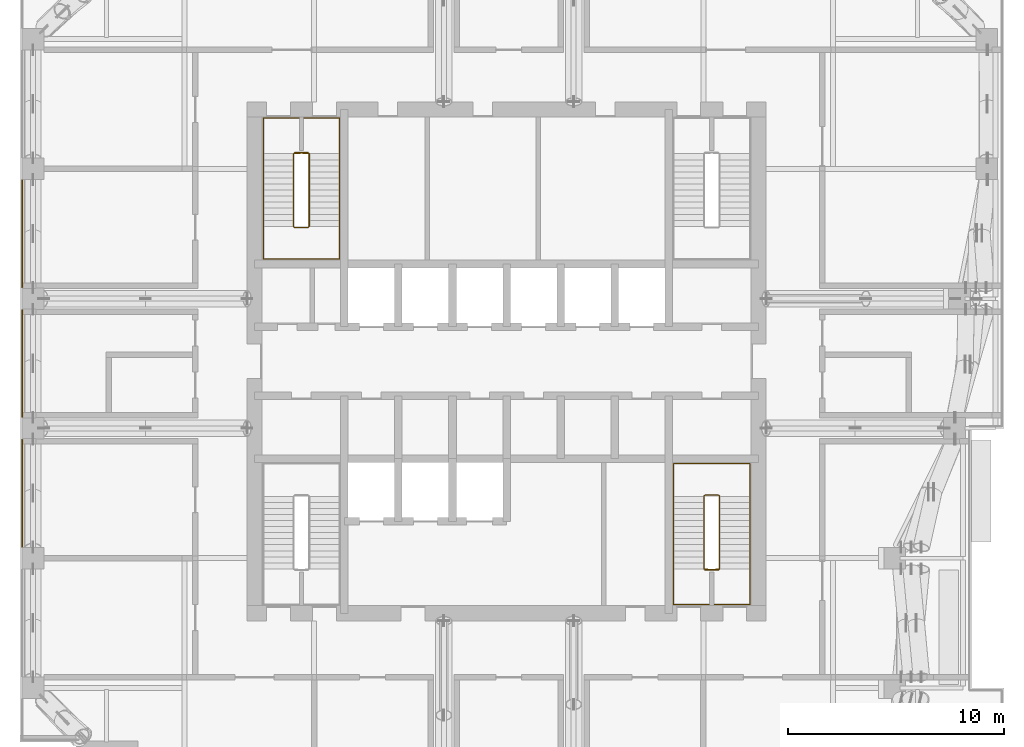
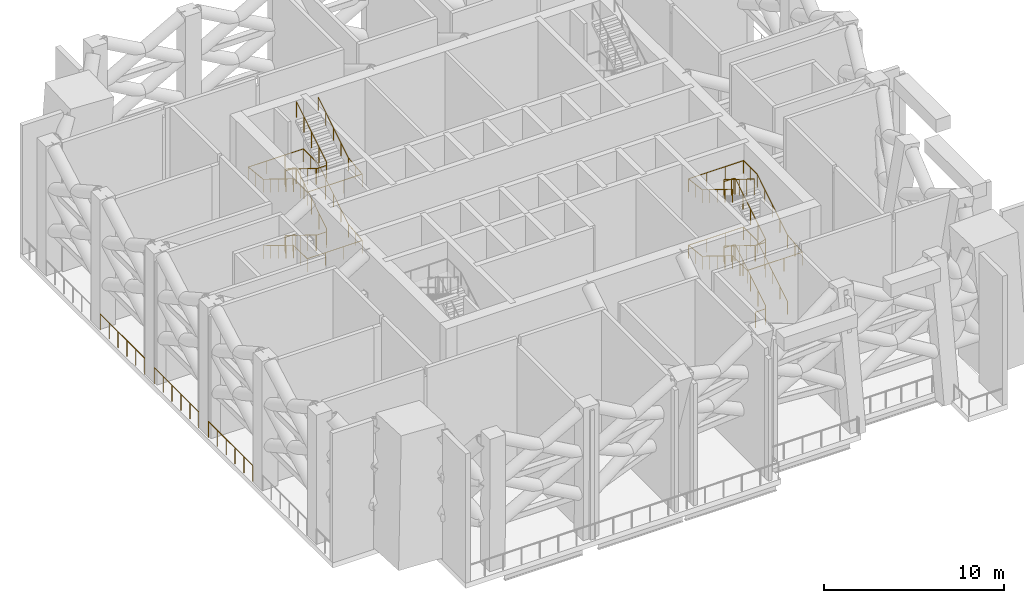
# One storey, part 16 of 18: 7 railings.
"""IFC4 building model written with IfcOpenShell, lengths in metres."""

from ifc_helpers import new_model, si_unit, direction, frame, origin, origin_2d, place, context, subcontext, project, spatial, circle, extrude, material, type_object, element, save


model = new_model("IFC4")

# Units and contexts
model_context = context("Model", 3, precision=1e-05, world=origin(), true_north=direction((0.0, 1.0)))
body_context = subcontext(model_context, "Body", "Model", "MODEL_VIEW")
ifc_project = project(units=[si_unit("LENGTHUNIT", "METRE"), si_unit("AREAUNIT", "SQUARE_METRE"), si_unit("VOLUMEUNIT", "CUBIC_METRE"), si_unit("PLANEANGLEUNIT", "RADIAN"), si_unit("MASSUNIT", "GRAM", prefix="KILO")], contexts=[model_context])

# Site, building, storey
site_placement = place(None, origin())
site = spatial("IfcSite", under=ifc_project, at=site_placement, CompositionType="ELEMENT")
building_placement = place(site_placement, origin())
building = spatial("IfcBuilding", under=site, at=building_placement, Name="Amberfall Residences", CompositionType="ELEMENT")
storey_placement = place(building_placement, frame((0.0, 0.0, 178.0)))
storey = spatial("IfcBuildingStorey", under=building, at=storey_placement, Name="L48", CompositionType="ELEMENT", Elevation=178.0)

# Railings
ifc_material_1 = material(Name="Bronze anodised aluminium and laminated glass", Category="aluminium")
railing_type_1 = type_object("IfcRailingType", Name="Refuge edge guard 1100", PredefinedType="GUARDRAIL", material=ifc_material_1)
for number, where, name in (
    (1, (52.10009765625, 36.929931640625, 0.0), "Refuge edge guard L48 12"),
    (2, (52.10009765625, 42.929931640625, 0.0), "Refuge edge guard L48 13"),
    (3, (52.10009765625, 48.929931640625, 0.0), "Refuge edge guard L48 14"),
):
    element("IfcRailing", number, at=place(storey_placement, frame(where)), inside=storey, type_object=railing_type_1, Name=name, PredefinedType="GUARDRAIL", context=body_context, shape_type="SweptSolid", body=[
        extrude(circle(Radius=0.02392578125, at=origin_2d()), frame((0.0, 0.0, 1.076171875), z_axis=(0.0, 1.0, 0.0), x_axis=(-1.0, 0.0, 0.0)), (0.0, 0.0, 1.0), 4.940185546875),
        extrude(circle(Radius=0.02099609375, at=origin_2d()), origin(), (0.0, 0.0, 1.0), 1.052001953125),
        extrude(circle(Radius=0.02099609375, at=origin_2d()), frame((0.0, 0.988037109375, 0.0)), (0.0, 0.0, 1.0), 1.052001953125),
        extrude(circle(Radius=0.02099609375, at=origin_2d()), frame((0.0, 1.97607421875, 0.0)), (0.0, 0.0, 1.0), 1.052001953125),
        extrude(circle(Radius=0.02099609375, at=origin_2d()), frame((0.0, 2.964111328125, 0.0)), (0.0, 0.0, 1.0), 1.052001953125),
        extrude(circle(Radius=0.02099609375, at=origin_2d()), frame((0.0, 3.9521484375, 0.0)), (0.0, 0.0, 1.0), 1.052001953125),
        extrude(circle(Radius=0.02099609375, at=origin_2d()), frame((0.0, 4.940185546875, 0.0)), (0.0, 0.0, 1.0), 1.052001953125),
    ])
ifc_material_2 = material(Name="Stainless steel 316", Category="steel")
railing_type_2 = type_object("IfcRailingType", Name="Stair guard 1100", PredefinedType="GUARDRAIL", material=ifc_material_2)
railing_1_placement = place(storey_placement, frame((83.675048828125, 35.85009765625, 0.0)))
element("IfcRailing", 4, at=railing_1_placement, inside=storey, type_object=railing_type_2, Name="L48 stair 2 guard", PredefinedType="GUARDRAIL", context=body_context, shape_type="SweptSolid", body=[
    extrude(circle(Radius=0.02392578125, at=origin_2d()), frame((0.0, 0.0, 1.076171875), z_axis=(1.0, 0.0, 0.0), x_axis=(0.0, 1.0, 0.0)), (0.0, 0.0, 1.0), 0.625),
    extrude(circle(Radius=0.02392578125, at=origin_2d()), frame((0.625, 0.0, 1.076171875), z_axis=(0.267723051232, 0.266417085129, 0.925929967433), x_axis=(-0.705375805398, 0.708833529934, 0.0)), (0.0, 0.0, 1.0), 0.18701171875),
    extrude(circle(Radius=0.02392578125, at=origin_2d()), frame((0.675048828125, 0.0498046875, 1.2490234375), z_axis=(0.0, 0.850623216509, 0.525775754039), x_axis=(-1.0, 0.0, 0.0)), (0.0, 0.0, 1.0), 3.9501953125),
    extrude(circle(Radius=0.02392578125, at=origin_2d()), frame((0.675048828125, 3.409912109375, 3.326171875), z_axis=(-0.707106781187, 0.707106781187, 0.0), x_axis=(-0.707106781187, -0.707106781187, 0.0)), (0.0, 0.0, 1.0), 0.07080078125),
    extrude(circle(Radius=0.02392578125, at=origin_2d()), frame((0.625, 3.4599609375, 3.326171875), z_axis=(-1.0, 0.0, 0.0), x_axis=(0.0, -1.0, 0.0)), (0.0, 0.0, 1.0), 0.625),
    extrude(circle(Radius=0.02392578125, at=origin_2d()), frame((0.0, 3.4599609375, 3.326171875), z_axis=(-0.267629722418, -0.267629722418, 0.925607186314), x_axis=(0.707106781187, -0.707106781187, 0.0)), (0.0, 0.0, 1.0), 0.18701171875),
    extrude(circle(Radius=0.02392578125, at=origin_2d()), frame((-0.050048828125, 3.409912109375, 3.4990234375), z_axis=(0.0, -0.850623216509, 0.525775754039), x_axis=(1.0, 0.0, 0.0)), (0.0, 0.0, 1.0), 3.9501953125),
    extrude(circle(Radius=0.02392578125, at=origin_2d()), frame((-0.050048828125, 0.0498046875, 5.576171875), z_axis=(0.997289362464, -0.073579396001, 0.0), x_axis=(0.073579396001, 0.997289362464, 0.0)), (0.0, 0.0, 1.0), 0.677001953125),
    extrude(circle(Radius=0.02392578125, at=origin_2d()), frame((0.625, 0.0, 5.576171875), z_axis=(-1.0, 0.0, 0.0), x_axis=(0.0, -1.0, 0.0)), (0.0, 0.0, 1.0), 0.625),
    extrude(circle(Radius=0.02392578125, at=origin_2d()), frame((0.0, 0.0, 5.576171875), z_axis=(0.966197387094, 0.071285449174, 0.247751879729), x_axis=(-0.073579396001, 0.997289362464, 0.0)), (0.0, 0.0, 1.0), 0.69873046875),
    extrude(circle(Radius=0.02392578125, at=origin_2d()), frame((0.675048828125, 0.0498046875, 5.7490234375), z_axis=(0.0, 0.850623216509, 0.525775754039), x_axis=(-1.0, 0.0, 0.0)), (0.0, 0.0, 1.0), 3.9501953125),
    extrude(circle(Radius=0.02392578125, at=origin_2d()), frame((0.675048828125, 3.409912109375, 7.826171875), z_axis=(-0.707106781187, 0.707106781187, 0.0), x_axis=(-0.707106781187, -0.707106781187, 0.0)), (0.0, 0.0, 1.0), 0.07080078125),
    extrude(circle(Radius=0.02392578125, at=origin_2d()), frame((0.625, 3.4599609375, 7.826171875), z_axis=(-1.0, 0.0, 0.0), x_axis=(0.0, -1.0, 0.0)), (0.0, 0.0, 1.0), 0.625),
    extrude(circle(Radius=0.02392578125, at=origin_2d()), frame((0.0, 3.4599609375, 7.826171875), z_axis=(-0.267629722418, -0.267629722418, 0.925607186314), x_axis=(0.707106781187, -0.707106781187, 0.0)), (0.0, 0.0, 1.0), 0.18701171875),
    extrude(circle(Radius=0.02392578125, at=origin_2d()), frame((-0.050048828125, 3.409912109375, 7.9990234375), z_axis=(0.0, -0.850623216509, 0.525775754039), x_axis=(1.0, 0.0, 0.0)), (0.0, 0.0, 1.0), 3.9501953125),
    extrude(circle(Radius=0.02099609375, at=origin_2d()), origin(), (0.0, 0.0, 1.0), 1.052001953125),
    extrude(circle(Radius=0.02099609375, at=origin_2d()), frame((0.625, 0.0, 0.0)), (0.0, 0.0, 1.0), 1.052001953125),
    extrude(circle(Radius=0.02099609375, at=origin_2d()), frame((0.675048828125, 0.0498046875, 0.173095703125)), (0.0, 0.0, 1.0), 1.052001953125),
    extrude(circle(Radius=0.02099609375, at=origin_2d()), frame((0.675048828125, 0.889892578125, 0.6923828125)), (0.0, 0.0, 1.0), 1.052001953125),
    extrude(circle(Radius=0.02099609375, at=origin_2d()), frame((0.675048828125, 1.72998046875, 1.21142578125)), (0.0, 0.0, 1.0), 1.052001953125),
    extrude(circle(Radius=0.02099609375, at=origin_2d()), frame((0.675048828125, 2.56982421875, 1.730712890625)), (0.0, 0.0, 1.0), 1.052001953125),
    extrude(circle(Radius=0.02099609375, at=origin_2d()), frame((0.675048828125, 3.409912109375, 2.25)), (0.0, 0.0, 1.0), 1.052001953125),
    extrude(circle(Radius=0.02099609375, at=origin_2d()), frame((0.625, 3.4599609375, 2.25)), (0.0, 0.0, 1.0), 1.052001953125),
    extrude(circle(Radius=0.02099609375, at=origin_2d()), frame((0.0, 3.4599609375, 2.25)), (0.0, 0.0, 1.0), 1.052001953125),
    extrude(circle(Radius=0.02099609375, at=origin_2d()), frame((-0.050048828125, 3.409912109375, 2.423095703125)), (0.0, 0.0, 1.0), 1.052001953125),
    extrude(circle(Radius=0.02099609375, at=origin_2d()), frame((-0.050048828125, 2.56982421875, 2.9423828125)), (0.0, 0.0, 1.0), 1.052001953125),
    extrude(circle(Radius=0.02099609375, at=origin_2d()), frame((-0.050048828125, 1.72998046875, 3.46142578125)), (0.0, 0.0, 1.0), 1.052001953125),
    extrude(circle(Radius=0.02099609375, at=origin_2d()), frame((-0.050048828125, 0.889892578125, 3.980712890625)), (0.0, 0.0, 1.0), 1.052001953125),
    extrude(circle(Radius=0.02099609375, at=origin_2d()), frame((-0.050048828125, 0.0498046875, 4.5)), (0.0, 0.0, 1.0), 1.052001953125),
    extrude(circle(Radius=0.02099609375, at=origin_2d()), frame((0.625, 0.0, 4.5)), (0.0, 0.0, 1.0), 1.052001953125),
    extrude(circle(Radius=0.02099609375, at=origin_2d()), frame((0.0, 0.0, 4.5)), (0.0, 0.0, 1.0), 1.052001953125),
    extrude(circle(Radius=0.02099609375, at=origin_2d()), frame((0.675048828125, 0.0498046875, 4.673095703125)), (0.0, 0.0, 1.0), 1.052001953125),
    extrude(circle(Radius=0.02099609375, at=origin_2d()), frame((0.675048828125, 0.889892578125, 5.1923828125)), (0.0, 0.0, 1.0), 1.052001953125),
    extrude(circle(Radius=0.02099609375, at=origin_2d()), frame((0.675048828125, 1.72998046875, 5.71142578125)), (0.0, 0.0, 1.0), 1.052001953125),
    extrude(circle(Radius=0.02099609375, at=origin_2d()), frame((0.675048828125, 2.56982421875, 6.230712890625)), (0.0, 0.0, 1.0), 1.052001953125),
    extrude(circle(Radius=0.02099609375, at=origin_2d()), frame((0.675048828125, 3.409912109375, 6.75)), (0.0, 0.0, 1.0), 1.052001953125),
    extrude(circle(Radius=0.02099609375, at=origin_2d()), frame((0.625, 3.4599609375, 6.75)), (0.0, 0.0, 1.0), 1.052001953125),
    extrude(circle(Radius=0.02099609375, at=origin_2d()), frame((0.0, 3.4599609375, 6.75)), (0.0, 0.0, 1.0), 1.052001953125),
    extrude(circle(Radius=0.02099609375, at=origin_2d()), frame((-0.050048828125, 3.409912109375, 6.923095703125)), (0.0, 0.0, 1.0), 1.052001953125),
    extrude(circle(Radius=0.02099609375, at=origin_2d()), frame((-0.050048828125, 2.56982421875, 7.4423828125)), (0.0, 0.0, 1.0), 1.052001953125),
    extrude(circle(Radius=0.02099609375, at=origin_2d()), frame((-0.050048828125, 1.72998046875, 7.96142578125)), (0.0, 0.0, 1.0), 1.052001953125),
    extrude(circle(Radius=0.02099609375, at=origin_2d()), frame((-0.050048828125, 0.889892578125, 8.480712890625)), (0.0, 0.0, 1.0), 1.052001953125),
    extrude(circle(Radius=0.02099609375, at=origin_2d()), frame((-0.050048828125, 0.0498046875, 9.0)), (0.0, 0.0, 1.0), 1.052001953125),
])
railing_2_placement = place(storey_placement, frame((65.324951171875, 55.14990234375, 0.0)))
element("IfcRailing", 5, at=railing_2_placement, inside=storey, type_object=railing_type_2, Name="L48 stair 4 guard", PredefinedType="GUARDRAIL", context=body_context, shape_type="SweptSolid", body=[
    extrude(circle(Radius=0.02392578125, at=origin_2d()), frame((0.0, 0.0, 1.076171875), z_axis=(-1.0, 0.0, 0.0), x_axis=(0.0, -1.0, 0.0)), (0.0, 0.0, 1.0), 0.625),
    extrude(circle(Radius=0.02392578125, at=origin_2d()), frame((-0.625, 0.0, 1.076171875), z_axis=(-0.267723051232, -0.266417085129, 0.925929967433), x_axis=(0.705375805398, -0.708833529934, 0.0)), (0.0, 0.0, 1.0), 0.18701171875),
    extrude(circle(Radius=0.02392578125, at=origin_2d()), frame((-0.675048828125, -0.0498046875, 1.2490234375), z_axis=(0.0, -0.850623216509, 0.525775754039), x_axis=(1.0, 0.0, 0.0)), (0.0, 0.0, 1.0), 3.9501953125),
    extrude(circle(Radius=0.02392578125, at=origin_2d()), frame((-0.675048828125, -3.409912109375, 3.326171875), z_axis=(0.707106781187, -0.707106781187, 0.0), x_axis=(0.707106781187, 0.707106781187, 0.0)), (0.0, 0.0, 1.0), 0.07080078125),
    extrude(circle(Radius=0.02392578125, at=origin_2d()), frame((-0.625, -3.4599609375, 3.326171875), z_axis=(1.0, 0.0, 0.0), x_axis=(0.0, 1.0, 0.0)), (0.0, 0.0, 1.0), 0.625),
    extrude(circle(Radius=0.02392578125, at=origin_2d()), frame((0.0, -3.4599609375, 3.326171875), z_axis=(0.267629722418, 0.267629722418, 0.925607186314), x_axis=(-0.707106781187, 0.707106781187, 0.0)), (0.0, 0.0, 1.0), 0.18701171875),
    extrude(circle(Radius=0.02392578125, at=origin_2d()), frame((0.050048828125, -3.409912109375, 3.4990234375), z_axis=(0.0, 0.850623216509, 0.525775754039), x_axis=(-1.0, 0.0, 0.0)), (0.0, 0.0, 1.0), 3.9501953125),
    extrude(circle(Radius=0.02392578125, at=origin_2d()), frame((0.050048828125, -0.0498046875, 5.576171875), z_axis=(-0.997289362464, 0.073579396001, 0.0), x_axis=(-0.073579396001, -0.997289362464, 0.0)), (0.0, 0.0, 1.0), 0.677001953125),
    extrude(circle(Radius=0.02392578125, at=origin_2d()), frame((-0.625, 0.0, 5.576171875), z_axis=(1.0, 0.0, 0.0), x_axis=(0.0, 1.0, 0.0)), (0.0, 0.0, 1.0), 0.625),
    extrude(circle(Radius=0.02392578125, at=origin_2d()), frame((0.0, 0.0, 5.576171875), z_axis=(-0.966197387094, -0.071285449174, 0.247751879729), x_axis=(0.073579396001, -0.997289362464, 0.0)), (0.0, 0.0, 1.0), 0.69873046875),
    extrude(circle(Radius=0.02392578125, at=origin_2d()), frame((-0.675048828125, -0.0498046875, 5.7490234375), z_axis=(0.0, -0.850623216509, 0.525775754039), x_axis=(1.0, 0.0, 0.0)), (0.0, 0.0, 1.0), 3.9501953125),
    extrude(circle(Radius=0.02392578125, at=origin_2d()), frame((-0.675048828125, -3.409912109375, 7.826171875), z_axis=(0.707106781187, -0.707106781187, 0.0), x_axis=(0.707106781187, 0.707106781187, 0.0)), (0.0, 0.0, 1.0), 0.07080078125),
    extrude(circle(Radius=0.02392578125, at=origin_2d()), frame((-0.625, -3.4599609375, 7.826171875), z_axis=(1.0, 0.0, 0.0), x_axis=(0.0, 1.0, 0.0)), (0.0, 0.0, 1.0), 0.625),
    extrude(circle(Radius=0.02392578125, at=origin_2d()), frame((0.0, -3.4599609375, 7.826171875), z_axis=(0.267629722418, 0.267629722418, 0.925607186314), x_axis=(-0.707106781187, 0.707106781187, 0.0)), (0.0, 0.0, 1.0), 0.18701171875),
    extrude(circle(Radius=0.02392578125, at=origin_2d()), frame((0.050048828125, -3.409912109375, 7.9990234375), z_axis=(0.0, 0.850623216509, 0.525775754039), x_axis=(-1.0, 0.0, 0.0)), (0.0, 0.0, 1.0), 3.9501953125),
    extrude(circle(Radius=0.02099609375, at=origin_2d()), origin(), (0.0, 0.0, 1.0), 1.052001953125),
    extrude(circle(Radius=0.02099609375, at=origin_2d()), frame((-0.625, 0.0, 0.0)), (0.0, 0.0, 1.0), 1.052001953125),
    extrude(circle(Radius=0.02099609375, at=origin_2d()), frame((-0.675048828125, -0.0498046875, 0.173095703125)), (0.0, 0.0, 1.0), 1.052001953125),
    extrude(circle(Radius=0.02099609375, at=origin_2d()), frame((-0.675048828125, -0.889892578125, 0.6923828125)), (0.0, 0.0, 1.0), 1.052001953125),
    extrude(circle(Radius=0.02099609375, at=origin_2d()), frame((-0.675048828125, -1.72998046875, 1.21142578125)), (0.0, 0.0, 1.0), 1.052001953125),
    extrude(circle(Radius=0.02099609375, at=origin_2d()), frame((-0.675048828125, -2.56982421875, 1.730712890625)), (0.0, 0.0, 1.0), 1.052001953125),
    extrude(circle(Radius=0.02099609375, at=origin_2d()), frame((-0.675048828125, -3.409912109375, 2.25)), (0.0, 0.0, 1.0), 1.052001953125),
    extrude(circle(Radius=0.02099609375, at=origin_2d()), frame((-0.625, -3.4599609375, 2.25)), (0.0, 0.0, 1.0), 1.052001953125),
    extrude(circle(Radius=0.02099609375, at=origin_2d()), frame((0.0, -3.4599609375, 2.25)), (0.0, 0.0, 1.0), 1.052001953125),
    extrude(circle(Radius=0.02099609375, at=origin_2d()), frame((0.050048828125, -3.409912109375, 2.423095703125)), (0.0, 0.0, 1.0), 1.052001953125),
    extrude(circle(Radius=0.02099609375, at=origin_2d()), frame((0.050048828125, -2.56982421875, 2.9423828125)), (0.0, 0.0, 1.0), 1.052001953125),
    extrude(circle(Radius=0.02099609375, at=origin_2d()), frame((0.050048828125, -1.72998046875, 3.46142578125)), (0.0, 0.0, 1.0), 1.052001953125),
    extrude(circle(Radius=0.02099609375, at=origin_2d()), frame((0.050048828125, -0.889892578125, 3.980712890625)), (0.0, 0.0, 1.0), 1.052001953125),
    extrude(circle(Radius=0.02099609375, at=origin_2d()), frame((0.050048828125, -0.0498046875, 4.5)), (0.0, 0.0, 1.0), 1.052001953125),
    extrude(circle(Radius=0.02099609375, at=origin_2d()), frame((-0.625, 0.0, 4.5)), (0.0, 0.0, 1.0), 1.052001953125),
    extrude(circle(Radius=0.02099609375, at=origin_2d()), frame((0.0, 0.0, 4.5)), (0.0, 0.0, 1.0), 1.052001953125),
    extrude(circle(Radius=0.02099609375, at=origin_2d()), frame((-0.675048828125, -0.0498046875, 4.673095703125)), (0.0, 0.0, 1.0), 1.052001953125),
    extrude(circle(Radius=0.02099609375, at=origin_2d()), frame((-0.675048828125, -0.889892578125, 5.1923828125)), (0.0, 0.0, 1.0), 1.052001953125),
    extrude(circle(Radius=0.02099609375, at=origin_2d()), frame((-0.675048828125, -1.72998046875, 5.71142578125)), (0.0, 0.0, 1.0), 1.052001953125),
    extrude(circle(Radius=0.02099609375, at=origin_2d()), frame((-0.675048828125, -2.56982421875, 6.230712890625)), (0.0, 0.0, 1.0), 1.052001953125),
    extrude(circle(Radius=0.02099609375, at=origin_2d()), frame((-0.675048828125, -3.409912109375, 6.75)), (0.0, 0.0, 1.0), 1.052001953125),
    extrude(circle(Radius=0.02099609375, at=origin_2d()), frame((-0.625, -3.4599609375, 6.75)), (0.0, 0.0, 1.0), 1.052001953125),
    extrude(circle(Radius=0.02099609375, at=origin_2d()), frame((0.0, -3.4599609375, 6.75)), (0.0, 0.0, 1.0), 1.052001953125),
    extrude(circle(Radius=0.02099609375, at=origin_2d()), frame((0.050048828125, -3.409912109375, 6.923095703125)), (0.0, 0.0, 1.0), 1.052001953125),
    extrude(circle(Radius=0.02099609375, at=origin_2d()), frame((0.050048828125, -2.56982421875, 7.4423828125)), (0.0, 0.0, 1.0), 1.052001953125),
    extrude(circle(Radius=0.02099609375, at=origin_2d()), frame((0.050048828125, -1.72998046875, 7.96142578125)), (0.0, 0.0, 1.0), 1.052001953125),
    extrude(circle(Radius=0.02099609375, at=origin_2d()), frame((0.050048828125, -0.889892578125, 8.480712890625)), (0.0, 0.0, 1.0), 1.052001953125),
    extrude(circle(Radius=0.02099609375, at=origin_2d()), frame((0.050048828125, -0.0498046875, 9.0)), (0.0, 0.0, 1.0), 1.052001953125),
])
railing_type_3 = type_object("IfcRailingType", Name="Stair handrail 900", PredefinedType="HANDRAIL", material=ifc_material_2)
railing_3_placement = place(storey_placement, frame((85.75, 35.89990234375, 0.173095703125)))
element("IfcRailing", 6, at=railing_3_placement, inside=storey, type_object=railing_type_3, Name="L48 stair 2 handrail", PredefinedType="HANDRAIL", context=body_context, shape_type="SweptSolid", body=[
    extrude(circle(Radius=0.02392578125, at=origin_2d()), frame((0.0, 0.0, 0.8759765625), z_axis=(0.0, 0.850623216509, 0.525775754039), x_axis=(-1.0, 0.0, 0.0)), (0.0, 0.0, 1.0), 3.9501953125),
    extrude(circle(Radius=0.02392578125, at=origin_2d()), frame((0.0, 3.360107421875, 2.95263671875), z_axis=(0.0, 1.0, 0.0), x_axis=(-1.0, 0.0, 0.0)), (0.0, 0.0, 1.0), 1.514892578125),
    extrude(circle(Radius=0.02392578125, at=origin_2d()), frame((0.0, 4.875, 2.95263671875), z_axis=(-1.0, 0.0, 0.0), x_axis=(0.0, -1.0, 0.0)), (0.0, 0.0, 1.0), 3.52490234375),
    extrude(circle(Radius=0.02392578125, at=origin_2d()), frame((-3.52490234375, 4.875, 2.95263671875), z_axis=(0.0, -0.993535252875, 0.113524011972), x_axis=(1.0, 0.0, 0.0)), (0.0, 0.0, 1.0), 1.524658203125),
    extrude(circle(Radius=0.02392578125, at=origin_2d()), frame((-3.52490234375, 3.360107421875, 3.1259765625), z_axis=(0.0, -0.850623216509, 0.525775754039), x_axis=(1.0, 0.0, 0.0)), (0.0, 0.0, 1.0), 3.9501953125),
    extrude(circle(Radius=0.02392578125, at=origin_2d()), frame((-3.52490234375, 0.0, 5.20263671875), z_axis=(0.0, -1.0, 0.0), x_axis=(1.0, 0.0, 0.0)), (0.0, 0.0, 1.0), 1.64990234375),
    extrude(circle(Radius=0.02392578125, at=origin_2d()), frame((-3.52490234375, -1.64990234375, 5.20263671875), z_axis=(1.0, 0.0, 0.0), x_axis=(0.0, 1.0, 0.0)), (0.0, 0.0, 1.0), 3.52490234375),
    extrude(circle(Radius=0.02392578125, at=origin_2d()), frame((0.0, -1.64990234375, 5.20263671875), z_axis=(0.0, 0.994541680457, 0.104340049045), x_axis=(-1.0, 0.0, 0.0)), (0.0, 0.0, 1.0), 1.658935546875),
    extrude(circle(Radius=0.02392578125, at=origin_2d()), frame((0.0, 0.0, 5.3759765625), z_axis=(0.0, 0.850623216509, 0.525775754039), x_axis=(-1.0, 0.0, 0.0)), (0.0, 0.0, 1.0), 3.9501953125),
    extrude(circle(Radius=0.02392578125, at=origin_2d()), frame((0.0, 3.360107421875, 7.45263671875), z_axis=(0.0, 1.0, 0.0), x_axis=(-1.0, 0.0, 0.0)), (0.0, 0.0, 1.0), 1.514892578125),
    extrude(circle(Radius=0.02392578125, at=origin_2d()), frame((0.0, 4.875, 7.45263671875), z_axis=(-1.0, 0.0, 0.0), x_axis=(0.0, -1.0, 0.0)), (0.0, 0.0, 1.0), 3.52490234375),
    extrude(circle(Radius=0.02392578125, at=origin_2d()), frame((-3.52490234375, 4.875, 7.45263671875), z_axis=(0.0, -0.993535252875, 0.113524011972), x_axis=(1.0, 0.0, 0.0)), (0.0, 0.0, 1.0), 1.524658203125),
    extrude(circle(Radius=0.02392578125, at=origin_2d()), frame((-3.52490234375, 3.360107421875, 7.6259765625), z_axis=(0.0, -0.850623216509, 0.525775754039), x_axis=(1.0, 0.0, 0.0)), (0.0, 0.0, 1.0), 3.9501953125),
    extrude(circle(Radius=0.02099609375, at=origin_2d()), origin(), (0.0, 0.0, 1.0), 0.851806640625),
    extrude(circle(Radius=0.02099609375, at=origin_2d()), frame((0.0, 0.840087890625, 0.519287109375)), (0.0, 0.0, 1.0), 0.851806640625),
    extrude(circle(Radius=0.02099609375, at=origin_2d()), frame((0.0, 1.68017578125, 1.03857421875)), (0.0, 0.0, 1.0), 0.851806640625),
    extrude(circle(Radius=0.02099609375, at=origin_2d()), frame((0.0, 2.52001953125, 1.5576171875)), (0.0, 0.0, 1.0), 0.851806640625),
    extrude(circle(Radius=0.02099609375, at=origin_2d()), frame((0.0, 3.360107421875, 2.076904296875)), (0.0, 0.0, 1.0), 0.851806640625),
    extrude(circle(Radius=0.02099609375, at=origin_2d()), frame((0.0, 4.11767578125, 2.076904296875)), (0.0, 0.0, 1.0), 0.851806640625),
    extrude(circle(Radius=0.02099609375, at=origin_2d()), frame((0.0, 4.875, 2.076904296875)), (0.0, 0.0, 1.0), 0.851806640625),
    extrude(circle(Radius=0.02099609375, at=origin_2d()), frame((-1.175048828125, 4.875, 2.076904296875)), (0.0, 0.0, 1.0), 0.851806640625),
    extrude(circle(Radius=0.02099609375, at=origin_2d()), frame((-2.349853515625, 4.875, 2.076904296875)), (0.0, 0.0, 1.0), 0.851806640625),
    extrude(circle(Radius=0.02099609375, at=origin_2d()), frame((-3.52490234375, 4.875, 2.076904296875)), (0.0, 0.0, 1.0), 0.851806640625),
    extrude(circle(Radius=0.02099609375, at=origin_2d()), frame((-3.52490234375, 4.11767578125, 2.16357421875)), (0.0, 0.0, 1.0), 0.851806640625),
    extrude(circle(Radius=0.02099609375, at=origin_2d()), frame((-3.52490234375, 3.360107421875, 2.25)), (0.0, 0.0, 1.0), 0.851806640625),
    extrude(circle(Radius=0.02099609375, at=origin_2d()), frame((-3.52490234375, 2.52001953125, 2.769287109375)), (0.0, 0.0, 1.0), 0.851806640625),
    extrude(circle(Radius=0.02099609375, at=origin_2d()), frame((-3.52490234375, 1.68017578125, 3.28857421875)), (0.0, 0.0, 1.0), 0.851806640625),
    extrude(circle(Radius=0.02099609375, at=origin_2d()), frame((-3.52490234375, 0.840087890625, 3.8076171875)), (0.0, 0.0, 1.0), 0.851806640625),
    extrude(circle(Radius=0.02099609375, at=origin_2d()), frame((-3.52490234375, 0.0, 4.326904296875)), (0.0, 0.0, 1.0), 0.851806640625),
    extrude(circle(Radius=0.02099609375, at=origin_2d()), frame((-3.52490234375, -0.824951171875, 4.326904296875)), (0.0, 0.0, 1.0), 0.851806640625),
    extrude(circle(Radius=0.02099609375, at=origin_2d()), frame((-3.52490234375, -1.64990234375, 4.326904296875)), (0.0, 0.0, 1.0), 0.851806640625),
    extrude(circle(Radius=0.02099609375, at=origin_2d()), frame((-2.349853515625, -1.64990234375, 4.326904296875)), (0.0, 0.0, 1.0), 0.851806640625),
    extrude(circle(Radius=0.02099609375, at=origin_2d()), frame((-1.175048828125, -1.64990234375, 4.326904296875)), (0.0, 0.0, 1.0), 0.851806640625),
    extrude(circle(Radius=0.02099609375, at=origin_2d()), frame((0.0, -1.64990234375, 4.326904296875)), (0.0, 0.0, 1.0), 0.851806640625),
    extrude(circle(Radius=0.02099609375, at=origin_2d()), frame((0.0, -0.824951171875, 4.41357421875)), (0.0, 0.0, 1.0), 0.851806640625),
    extrude(circle(Radius=0.02099609375, at=origin_2d()), frame((0.0, 0.0, 4.5)), (0.0, 0.0, 1.0), 0.851806640625),
    extrude(circle(Radius=0.02099609375, at=origin_2d()), frame((0.0, 0.840087890625, 5.019287109375)), (0.0, 0.0, 1.0), 0.851806640625),
    extrude(circle(Radius=0.02099609375, at=origin_2d()), frame((0.0, 1.68017578125, 5.53857421875)), (0.0, 0.0, 1.0), 0.851806640625),
    extrude(circle(Radius=0.02099609375, at=origin_2d()), frame((0.0, 2.52001953125, 6.0576171875)), (0.0, 0.0, 1.0), 0.851806640625),
    extrude(circle(Radius=0.02099609375, at=origin_2d()), frame((0.0, 3.360107421875, 6.576904296875)), (0.0, 0.0, 1.0), 0.851806640625),
    extrude(circle(Radius=0.02099609375, at=origin_2d()), frame((0.0, 4.11767578125, 6.576904296875)), (0.0, 0.0, 1.0), 0.851806640625),
    extrude(circle(Radius=0.02099609375, at=origin_2d()), frame((0.0, 4.875, 6.576904296875)), (0.0, 0.0, 1.0), 0.851806640625),
    extrude(circle(Radius=0.02099609375, at=origin_2d()), frame((-1.175048828125, 4.875, 6.576904296875)), (0.0, 0.0, 1.0), 0.851806640625),
    extrude(circle(Radius=0.02099609375, at=origin_2d()), frame((-2.349853515625, 4.875, 6.576904296875)), (0.0, 0.0, 1.0), 0.851806640625),
    extrude(circle(Radius=0.02099609375, at=origin_2d()), frame((-3.52490234375, 4.875, 6.576904296875)), (0.0, 0.0, 1.0), 0.851806640625),
    extrude(circle(Radius=0.02099609375, at=origin_2d()), frame((-3.52490234375, 4.11767578125, 6.66357421875)), (0.0, 0.0, 1.0), 0.851806640625),
    extrude(circle(Radius=0.02099609375, at=origin_2d()), frame((-3.52490234375, 3.360107421875, 6.75)), (0.0, 0.0, 1.0), 0.851806640625),
    extrude(circle(Radius=0.02099609375, at=origin_2d()), frame((-3.52490234375, 2.52001953125, 7.269287109375)), (0.0, 0.0, 1.0), 0.851806640625),
    extrude(circle(Radius=0.02099609375, at=origin_2d()), frame((-3.52490234375, 1.68017578125, 7.78857421875)), (0.0, 0.0, 1.0), 0.851806640625),
    extrude(circle(Radius=0.02099609375, at=origin_2d()), frame((-3.52490234375, 0.840087890625, 8.3076171875)), (0.0, 0.0, 1.0), 0.851806640625),
    extrude(circle(Radius=0.02099609375, at=origin_2d()), frame((-3.52490234375, 0.0, 8.826904296875)), (0.0, 0.0, 1.0), 0.851806640625),
])
railing_4_placement = place(storey_placement, frame((63.25, 55.10009765625, 0.173095703125)))
element("IfcRailing", 7, at=railing_4_placement, inside=storey, type_object=railing_type_3, Name="L48 stair 4 handrail", PredefinedType="HANDRAIL", context=body_context, shape_type="SweptSolid", body=[
    extrude(circle(Radius=0.02392578125, at=origin_2d()), frame((0.0, 0.0, 0.8759765625), z_axis=(0.0, -0.850623216509, 0.525775754039), x_axis=(1.0, 0.0, 0.0)), (0.0, 0.0, 1.0), 3.9501953125),
    extrude(circle(Radius=0.02392578125, at=origin_2d()), frame((0.0, -3.360107421875, 2.95263671875), z_axis=(0.0, -1.0, 0.0), x_axis=(1.0, 0.0, 0.0)), (0.0, 0.0, 1.0), 1.514892578125),
    extrude(circle(Radius=0.02392578125, at=origin_2d()), frame((0.0, -4.875, 2.95263671875), z_axis=(1.0, 0.0, 0.0), x_axis=(0.0, 1.0, 0.0)), (0.0, 0.0, 1.0), 3.52490234375),
    extrude(circle(Radius=0.02392578125, at=origin_2d()), frame((3.52490234375, -4.875, 2.95263671875), z_axis=(0.0, 0.993535252875, 0.113524011972), x_axis=(-1.0, 0.0, 0.0)), (0.0, 0.0, 1.0), 1.524658203125),
    extrude(circle(Radius=0.02392578125, at=origin_2d()), frame((3.52490234375, -3.360107421875, 3.1259765625), z_axis=(0.0, 0.850623216509, 0.525775754039), x_axis=(-1.0, 0.0, 0.0)), (0.0, 0.0, 1.0), 3.9501953125),
    extrude(circle(Radius=0.02392578125, at=origin_2d()), frame((3.52490234375, 0.0, 5.20263671875), z_axis=(0.0, 1.0, 0.0), x_axis=(-1.0, 0.0, 0.0)), (0.0, 0.0, 1.0), 1.64990234375),
    extrude(circle(Radius=0.02392578125, at=origin_2d()), frame((3.52490234375, 1.64990234375, 5.20263671875), z_axis=(-1.0, 0.0, 0.0), x_axis=(0.0, -1.0, 0.0)), (0.0, 0.0, 1.0), 3.52490234375),
    extrude(circle(Radius=0.02392578125, at=origin_2d()), frame((0.0, 1.64990234375, 5.20263671875), z_axis=(0.0, -0.994541680457, 0.104340049045), x_axis=(1.0, 0.0, 0.0)), (0.0, 0.0, 1.0), 1.658935546875),
    extrude(circle(Radius=0.02392578125, at=origin_2d()), frame((0.0, 0.0, 5.3759765625), z_axis=(0.0, -0.850623216509, 0.525775754039), x_axis=(1.0, 0.0, 0.0)), (0.0, 0.0, 1.0), 3.9501953125),
    extrude(circle(Radius=0.02392578125, at=origin_2d()), frame((0.0, -3.360107421875, 7.45263671875), z_axis=(0.0, -1.0, 0.0), x_axis=(1.0, 0.0, 0.0)), (0.0, 0.0, 1.0), 1.514892578125),
    extrude(circle(Radius=0.02392578125, at=origin_2d()), frame((0.0, -4.875, 7.45263671875), z_axis=(1.0, 0.0, 0.0), x_axis=(0.0, 1.0, 0.0)), (0.0, 0.0, 1.0), 3.52490234375),
    extrude(circle(Radius=0.02392578125, at=origin_2d()), frame((3.52490234375, -4.875, 7.45263671875), z_axis=(0.0, 0.993535252875, 0.113524011972), x_axis=(-1.0, 0.0, 0.0)), (0.0, 0.0, 1.0), 1.524658203125),
    extrude(circle(Radius=0.02392578125, at=origin_2d()), frame((3.52490234375, -3.360107421875, 7.6259765625), z_axis=(0.0, 0.850623216509, 0.525775754039), x_axis=(-1.0, 0.0, 0.0)), (0.0, 0.0, 1.0), 3.9501953125),
    extrude(circle(Radius=0.02099609375, at=origin_2d()), origin(), (0.0, 0.0, 1.0), 0.851806640625),
    extrude(circle(Radius=0.02099609375, at=origin_2d()), frame((0.0, -0.840087890625, 0.519287109375)), (0.0, 0.0, 1.0), 0.851806640625),
    extrude(circle(Radius=0.02099609375, at=origin_2d()), frame((0.0, -1.68017578125, 1.03857421875)), (0.0, 0.0, 1.0), 0.851806640625),
    extrude(circle(Radius=0.02099609375, at=origin_2d()), frame((0.0, -2.52001953125, 1.5576171875)), (0.0, 0.0, 1.0), 0.851806640625),
    extrude(circle(Radius=0.02099609375, at=origin_2d()), frame((0.0, -3.360107421875, 2.076904296875)), (0.0, 0.0, 1.0), 0.851806640625),
    extrude(circle(Radius=0.02099609375, at=origin_2d()), frame((0.0, -4.11767578125, 2.076904296875)), (0.0, 0.0, 1.0), 0.851806640625),
    extrude(circle(Radius=0.02099609375, at=origin_2d()), frame((0.0, -4.875, 2.076904296875)), (0.0, 0.0, 1.0), 0.851806640625),
    extrude(circle(Radius=0.02099609375, at=origin_2d()), frame((1.175048828125, -4.875, 2.076904296875)), (0.0, 0.0, 1.0), 0.851806640625),
    extrude(circle(Radius=0.02099609375, at=origin_2d()), frame((2.349853515625, -4.875, 2.076904296875)), (0.0, 0.0, 1.0), 0.851806640625),
    extrude(circle(Radius=0.02099609375, at=origin_2d()), frame((3.52490234375, -4.875, 2.076904296875)), (0.0, 0.0, 1.0), 0.851806640625),
    extrude(circle(Radius=0.02099609375, at=origin_2d()), frame((3.52490234375, -4.11767578125, 2.16357421875)), (0.0, 0.0, 1.0), 0.851806640625),
    extrude(circle(Radius=0.02099609375, at=origin_2d()), frame((3.52490234375, -3.360107421875, 2.25)), (0.0, 0.0, 1.0), 0.851806640625),
    extrude(circle(Radius=0.02099609375, at=origin_2d()), frame((3.52490234375, -2.52001953125, 2.769287109375)), (0.0, 0.0, 1.0), 0.851806640625),
    extrude(circle(Radius=0.02099609375, at=origin_2d()), frame((3.52490234375, -1.68017578125, 3.28857421875)), (0.0, 0.0, 1.0), 0.851806640625),
    extrude(circle(Radius=0.02099609375, at=origin_2d()), frame((3.52490234375, -0.840087890625, 3.8076171875)), (0.0, 0.0, 1.0), 0.851806640625),
    extrude(circle(Radius=0.02099609375, at=origin_2d()), frame((3.52490234375, 0.0, 4.326904296875)), (0.0, 0.0, 1.0), 0.851806640625),
    extrude(circle(Radius=0.02099609375, at=origin_2d()), frame((3.52490234375, 0.824951171875, 4.326904296875)), (0.0, 0.0, 1.0), 0.851806640625),
    extrude(circle(Radius=0.02099609375, at=origin_2d()), frame((3.52490234375, 1.64990234375, 4.326904296875)), (0.0, 0.0, 1.0), 0.851806640625),
    extrude(circle(Radius=0.02099609375, at=origin_2d()), frame((2.349853515625, 1.64990234375, 4.326904296875)), (0.0, 0.0, 1.0), 0.851806640625),
    extrude(circle(Radius=0.02099609375, at=origin_2d()), frame((1.175048828125, 1.64990234375, 4.326904296875)), (0.0, 0.0, 1.0), 0.851806640625),
    extrude(circle(Radius=0.02099609375, at=origin_2d()), frame((0.0, 1.64990234375, 4.326904296875)), (0.0, 0.0, 1.0), 0.851806640625),
    extrude(circle(Radius=0.02099609375, at=origin_2d()), frame((0.0, 0.824951171875, 4.41357421875)), (0.0, 0.0, 1.0), 0.851806640625),
    extrude(circle(Radius=0.02099609375, at=origin_2d()), frame((0.0, 0.0, 4.5)), (0.0, 0.0, 1.0), 0.851806640625),
    extrude(circle(Radius=0.02099609375, at=origin_2d()), frame((0.0, -0.840087890625, 5.019287109375)), (0.0, 0.0, 1.0), 0.851806640625),
    extrude(circle(Radius=0.02099609375, at=origin_2d()), frame((0.0, -1.68017578125, 5.53857421875)), (0.0, 0.0, 1.0), 0.851806640625),
    extrude(circle(Radius=0.02099609375, at=origin_2d()), frame((0.0, -2.52001953125, 6.0576171875)), (0.0, 0.0, 1.0), 0.851806640625),
    extrude(circle(Radius=0.02099609375, at=origin_2d()), frame((0.0, -3.360107421875, 6.576904296875)), (0.0, 0.0, 1.0), 0.851806640625),
    extrude(circle(Radius=0.02099609375, at=origin_2d()), frame((0.0, -4.11767578125, 6.576904296875)), (0.0, 0.0, 1.0), 0.851806640625),
    extrude(circle(Radius=0.02099609375, at=origin_2d()), frame((0.0, -4.875, 6.576904296875)), (0.0, 0.0, 1.0), 0.851806640625),
    extrude(circle(Radius=0.02099609375, at=origin_2d()), frame((1.175048828125, -4.875, 6.576904296875)), (0.0, 0.0, 1.0), 0.851806640625),
    extrude(circle(Radius=0.02099609375, at=origin_2d()), frame((2.349853515625, -4.875, 6.576904296875)), (0.0, 0.0, 1.0), 0.851806640625),
    extrude(circle(Radius=0.02099609375, at=origin_2d()), frame((3.52490234375, -4.875, 6.576904296875)), (0.0, 0.0, 1.0), 0.851806640625),
    extrude(circle(Radius=0.02099609375, at=origin_2d()), frame((3.52490234375, -4.11767578125, 6.66357421875)), (0.0, 0.0, 1.0), 0.851806640625),
    extrude(circle(Radius=0.02099609375, at=origin_2d()), frame((3.52490234375, -3.360107421875, 6.75)), (0.0, 0.0, 1.0), 0.851806640625),
    extrude(circle(Radius=0.02099609375, at=origin_2d()), frame((3.52490234375, -2.52001953125, 7.269287109375)), (0.0, 0.0, 1.0), 0.851806640625),
    extrude(circle(Radius=0.02099609375, at=origin_2d()), frame((3.52490234375, -1.68017578125, 7.78857421875)), (0.0, 0.0, 1.0), 0.851806640625),
    extrude(circle(Radius=0.02099609375, at=origin_2d()), frame((3.52490234375, -0.840087890625, 8.3076171875)), (0.0, 0.0, 1.0), 0.851806640625),
    extrude(circle(Radius=0.02099609375, at=origin_2d()), frame((3.52490234375, 0.0, 8.826904296875)), (0.0, 0.0, 1.0), 0.851806640625),
])

save(model, "model.ifc")
